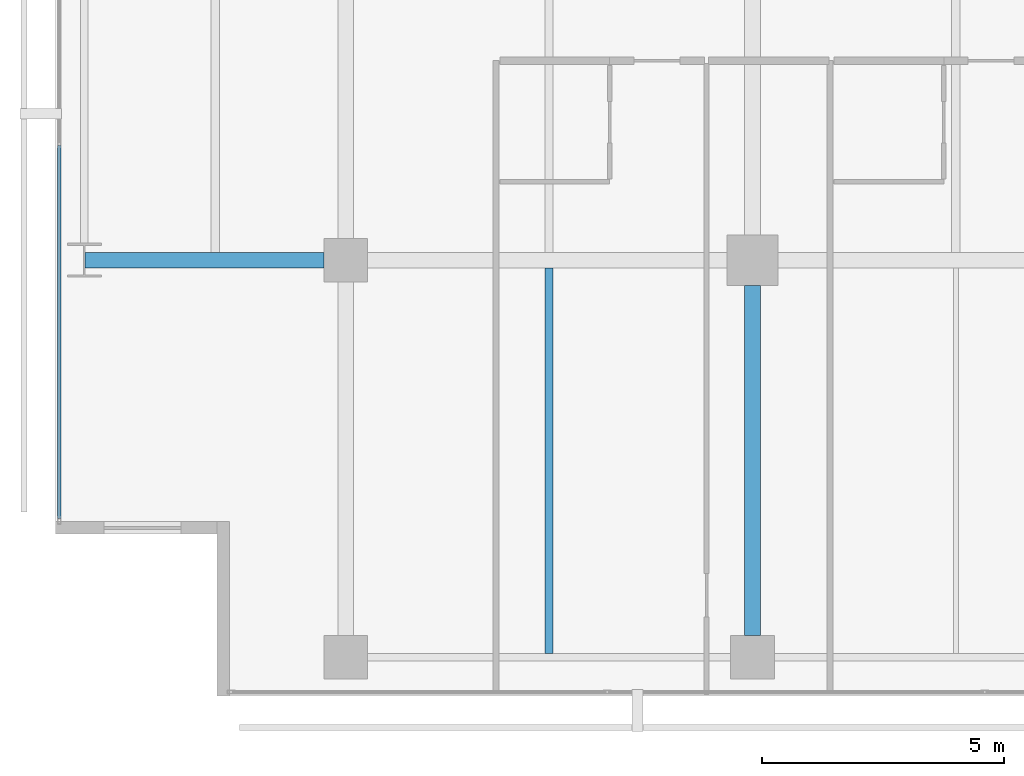
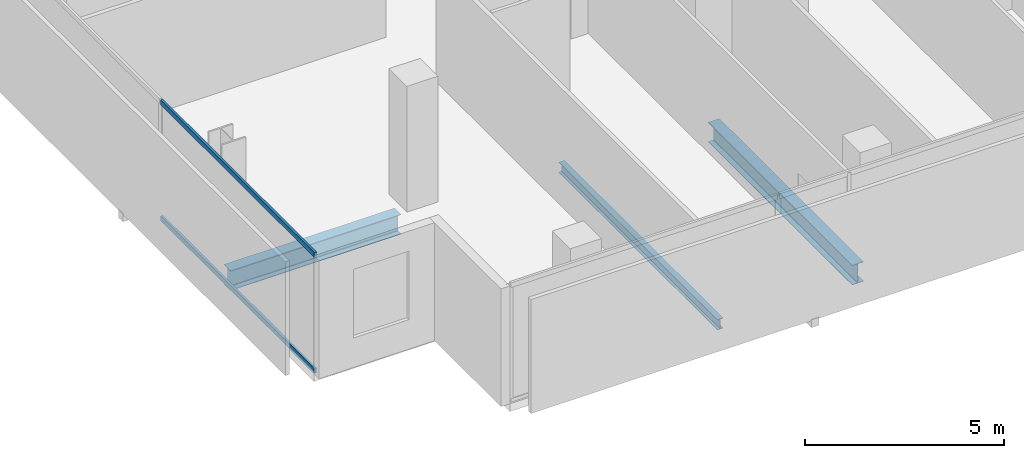
# One storey, part 4 of 40: 3 beams, 2 members, 1 element without a shape of its own.
"""IFC4 building model written with IfcOpenShell, lengths in metres."""

from ifc_helpers import new_model, si_unit, direction, frame, origin, origin_2d, place, context, subcontext, project, spatial, hollow_rectangle, i_section, extrude, material, layer, layer_set, material_profile, profile_set, type_object, element, aggregate, save


model = new_model("IFC4")

# Units and contexts
model_context = context("Model", 3, precision=1e-05, world=origin(), true_north=direction((0.0, 1.0)))
body_context = subcontext(model_context, "Body", "Model", "MODEL_VIEW")
ifc_project = project(units=[si_unit("LENGTHUNIT", "METRE"), si_unit("AREAUNIT", "SQUARE_METRE"), si_unit("VOLUMEUNIT", "CUBIC_METRE"), si_unit("PLANEANGLEUNIT", "RADIAN"), si_unit("MASSUNIT", "GRAM", prefix="KILO")], contexts=[model_context])

# Site, building, storey
site_placement = place(None, origin())
site = spatial("IfcSite", under=ifc_project, at=site_placement, CompositionType="ELEMENT")
building_placement = place(site_placement, origin())
building = spatial("IfcBuilding", under=site, at=building_placement, Name="Maruvema Waterfront Hotel and Observation Tower", CompositionType="ELEMENT")
storey_placement = place(building_placement, frame((0.0, 0.0, 80.85009765625)))
storey = spatial("IfcBuildingStorey", under=building, at=storey_placement, Name="L19", CompositionType="ELEMENT", Elevation=80.85009765625)

# Curtain wall, members
ifc_material_1 = material(Name="Anodised bronze aluminium and solar-control low-E IGU", Category="aluminium")
ifc_layer = layer(ifc_material_1, 0.159912109375, Name="Zone 1 Bronze Inner Thermal Curtain Wall System CW-02")
ifc_layer_set = layer_set([ifc_layer], Name="Anodised bronze aluminium and solar-control low-E IGU")
curtain_wall_type = type_object("IfcCurtainWallType", Name="Zone 1 Bronze Inner Thermal Curtain Wall System CW-02", PredefinedType="USERDEFINED", material=ifc_layer_set)
curtain_wall_placement = place(storey_placement, origin())
curtain_wall = element("IfcCurtainWall", 1, at=curtain_wall_placement, inside=storey, type_object=curtain_wall_type, Name="L19 Curtain Wall CW-L19-W", ObjectType="UNITISED CURTAIN WALL", PredefinedType="USERDEFINED")
ifc_material_2 = material(Name="Anodised architectural bronze aluminium", Category="aluminium")
ifc_material_profile_1 = material_profile(ifc_material_2, hollow_rectangle(XDim=0.070068359375, YDim=0.14990234375, WallThickness=0.00390625, at=origin_2d()), Name="ALU-T70x150")
ifc_profile_set_1 = profile_set([ifc_material_profile_1], Name="Anodised architectural bronze aluminium")
member_type = type_object("IfcMemberType", Name="Curtain Wall Horizontal Transom ALU-T70x150", PredefinedType="USERDEFINED", material=ifc_profile_set_1)
member_1_placement = place(storey_placement, frame((10.8798828125, 11.3701171875, 0.02978515625), z_axis=(0.0, -1.0, 0.0), x_axis=(1.0, 0.0, 0.0)))
member_1 = element("IfcMember", 2, at=member_1_placement, type_object=member_type, Name="CW-02 transom 6.1", ObjectType="TRANSOM", PredefinedType="USERDEFINED", context=body_context, shape_type="SweptSolid", body=[
    extrude(hollow_rectangle(XDim=0.070068359375, YDim=0.14990234375, WallThickness=0.00390625, at=origin_2d()), origin(), (0.0, 0.0, 1.0), 7.710205078125),
])
member_2_placement = place(storey_placement, frame((10.8798828125, 11.3701171875, 3.579833984375), z_axis=(0.0, -1.0, 0.0), x_axis=(1.0, 0.0, 0.0)))
member_2 = element("IfcMember", 3, at=member_2_placement, type_object=member_type, Name="CW-02 transom 6.2", ObjectType="TRANSOM", PredefinedType="USERDEFINED", context=body_context, shape_type="SweptSolid", body=[
    extrude(hollow_rectangle(XDim=0.070068359375, YDim=0.14990234375, WallThickness=0.00390625, at=origin_2d()), origin(), (0.0, 0.0, 1.0), 7.710205078125),
])
aggregate(curtain_wall, [member_1, member_2])

# Beams
ifc_material_3 = material(Name="Steel ASTM A572 Grade 50", Category="steel")
ifc_material_profile_2 = material_profile(ifc_material_3, i_section(OverallWidth=0.323974609375, OverallDepth=0.611083984375, WebThickness=0.0126953125, FlangeThickness=0.01904296875, FilletRadius=0.01806640625, at=origin_2d()), Name="W610x155.0")
ifc_profile_set_2 = profile_set([ifc_material_profile_2], Name="Steel ASTM A572 Grade 50")
beam_type_1 = type_object("IfcBeamType", Name="Primary Floor Girder W610x155.0", PredefinedType="BEAM", material=ifc_profile_set_2)
beam_1_placement = place(storey_placement, frame((11.4140625, 9.0, -0.545654296875), z_axis=(1.0, 0.0, 0.0), x_axis=(0.0, 1.0, 0.0)))
element("IfcBeam", 4, at=beam_1_placement, inside=storey, type_object=beam_type_1, Name="L19 Floor Girder EW-06", PredefinedType="BEAM", context=body_context, shape_type="SweptSolid", body=[
    extrude(i_section(OverallWidth=0.323974609375, OverallDepth=0.611083984375, WebThickness=0.0126953125, FlangeThickness=0.01904296875, FilletRadius=0.01806640625, at=origin_2d()), origin(), (0.0, 0.0, 1.0), 4.93603515625),
])
beam_2_placement = place(storey_placement, frame((25.199951171875, 1.25, -0.545654296875), z_axis=(0.0, 1.0, 0.0), x_axis=(-1.0, 0.0, 0.0)))
element("IfcBeam", 5, at=beam_2_placement, inside=storey, type_object=beam_type_1, Name="L19 Floor Girder NS-11", PredefinedType="BEAM", context=body_context, shape_type="SweptSolid", body=[
    extrude(i_section(OverallWidth=0.323974609375, OverallDepth=0.611083984375, WebThickness=0.0126953125, FlangeThickness=0.01904296875, FilletRadius=0.01806640625, at=origin_2d()), origin(), (0.0, 0.0, 1.0), 7.22509765625),
])
ifc_material_4 = material(Name="Steel ASTM A572 Grade 50", Category="steel")
ifc_material_profile_3 = material_profile(ifc_material_4, i_section(OverallWidth=0.1669921875, OverallDepth=0.31689453125, WebThickness=0.007568359375, FlangeThickness=0.01318359375, FilletRadius=0.012939453125, at=origin_2d()), Name="W310x52.0")
ifc_profile_set_3 = profile_set([ifc_material_profile_3], Name="Steel ASTM A572 Grade 50")
beam_type_2 = type_object("IfcBeamType", Name="Secondary Floor Joist W310x52.0", PredefinedType="JOIST", material=ifc_profile_set_3)
beam_3_placement = place(storey_placement, frame((21.0, 0.87646484375, -0.398681640625), z_axis=(0.0, 1.0, 0.0), x_axis=(-1.0, 0.0, 0.0)))
element("IfcBeam", 6, at=beam_3_placement, inside=storey, type_object=beam_type_2, Name="L19 Secondary Floor Joist JS-05", PredefinedType="JOIST", context=body_context, shape_type="SweptSolid", body=[
    extrude(i_section(OverallWidth=0.1669921875, OverallDepth=0.31689453125, WebThickness=0.007568359375, FlangeThickness=0.01318359375, FilletRadius=0.012939453125, at=origin_2d()), origin(), (0.0, 0.0, 1.0), 7.96142578125),
])

save(model, "model.ifc")
